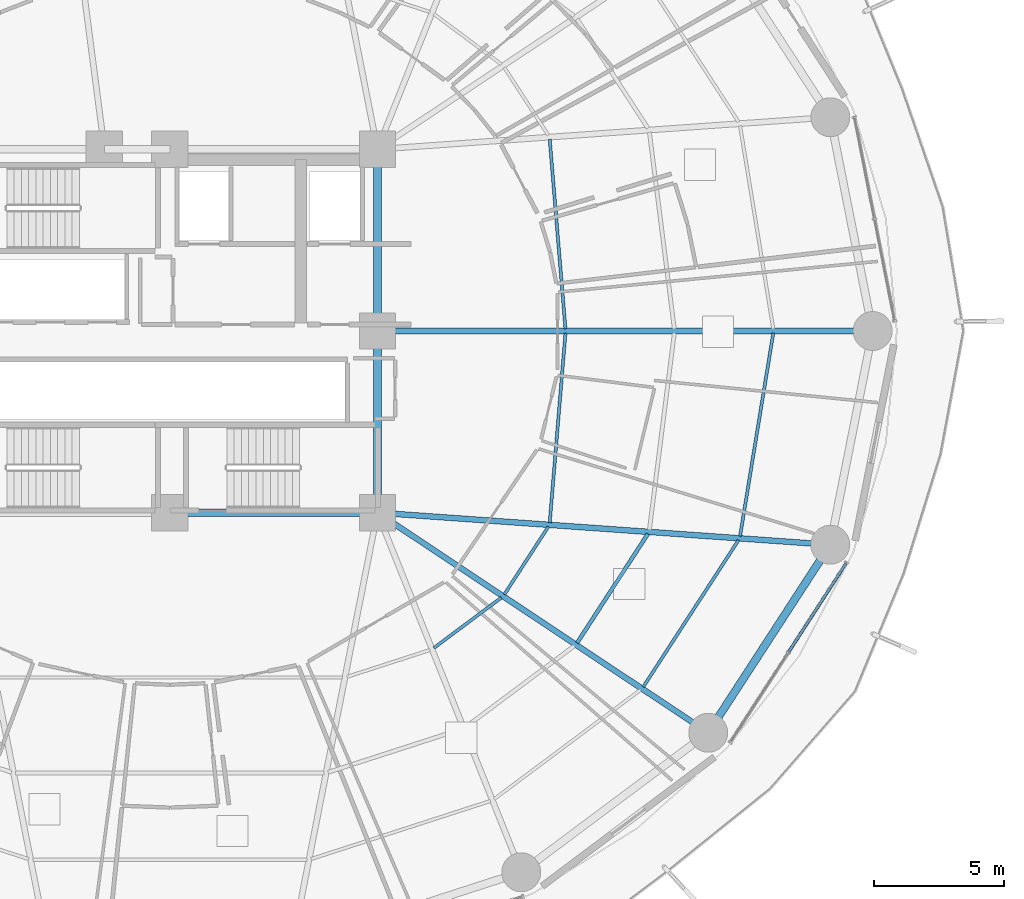
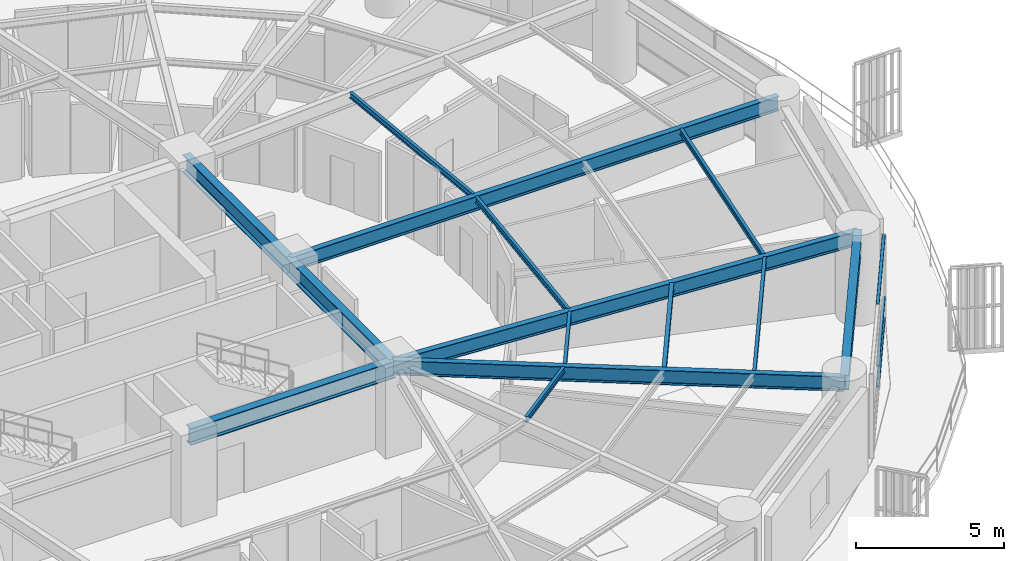
# One storey, part 11 of 32: 14 beams, 3 members, 1 element without a shape of its own.
"""IFC4 building model written with IfcOpenShell, lengths in metres."""

from ifc_helpers import new_model, si_unit, direction, frame, origin, origin_2d, place, context, subcontext, project, spatial, hollow_rectangle, i_section, extrude, material, layer, layer_set, material_profile, profile_set, type_object, element, aggregate, save


model = new_model("IFC4")

# Units and contexts
model_context = context("Model", 3, precision=1e-05, world=origin(), true_north=direction((0.0, 1.0)))
body_context = subcontext(model_context, "Body", "Model", "MODEL_VIEW")
ifc_project = project(units=[si_unit("LENGTHUNIT", "METRE"), si_unit("AREAUNIT", "SQUARE_METRE"), si_unit("VOLUMEUNIT", "CUBIC_METRE"), si_unit("PLANEANGLEUNIT", "RADIAN"), si_unit("MASSUNIT", "GRAM", prefix="KILO")], contexts=[model_context])

# Site, building, storey
site_placement = place(None, origin())
site = spatial("IfcSite", under=ifc_project, at=site_placement, CompositionType="ELEMENT")
building_placement = place(site_placement, origin())
building = spatial("IfcBuilding", under=site, at=building_placement, Name="Kelanora Arch Commons", CompositionType="ELEMENT")
storey_placement = place(building_placement, frame((0.0, 0.0, 48.75)))
storey = spatial("IfcBuildingStorey", under=building, at=storey_placement, Name="L12", CompositionType="ELEMENT", Elevation=48.75)

# Beams
ifc_material_1 = material(Name="Steel S355", Category="steel")
ifc_material_profile_1 = material_profile(ifc_material_1, i_section(OverallWidth=0.300048828125, OverallDepth=0.699951171875, WebThickness=0.01708984375, FlangeThickness=0.031982421875, FilletRadius=0.027099609375, at=origin_2d()), Name="HEB700")
ifc_profile_set_1 = profile_set([ifc_material_profile_1], Name="Steel S355")
beam_type_1 = type_object("IfcBeamType", Name="BM-CORE-HDR", PredefinedType="BEAM", material=ifc_profile_set_1)
beam_1_placement = place(storey_placement, frame((74.0, 51.0, 3.139892578125), z_axis=(1.0, 0.0, 0.0), x_axis=(0.0, 1.0, 0.0)))
element("IfcBeam", 1, at=beam_1_placement, inside=storey, type_object=beam_type_1, Name="Core Header Beam 02 L12", PredefinedType="BEAM", context=body_context, shape_type="SweptSolid", body=[
    extrude(i_section(OverallWidth=0.300048828125, OverallDepth=0.699951171875, WebThickness=0.01708984375, FlangeThickness=0.031982421875, FilletRadius=0.027099609375, at=origin_2d()), origin(), (0.0, 0.0, 1.0), 8.0),
])
for number, where, z_axis, x_axis, name in (
    (2, (82.0, 51.0, 3.139892578125), (0.0, 1.0, 0.0), (-1.0, 0.0, 0.0), "Core Header Beam 03 L12"),
    (3, (82.0, 58.0, 3.139892578125), (0.0, 1.0, 0.0), (-1.0, 0.0, 0.0), "Core Header Beam 04 L12"),
):
    element("IfcBeam", number, at=place(storey_placement, frame(where, z_axis=z_axis, x_axis=x_axis)), inside=storey, type_object=beam_type_1, Name=name, PredefinedType="BEAM", context=body_context, shape_type="SweptSolid", body=[
        extrude(i_section(OverallWidth=0.300048828125, OverallDepth=0.699951171875, WebThickness=0.01708984375, FlangeThickness=0.031982421875, FilletRadius=0.027099609375, at=origin_2d()), origin(), (0.0, 0.0, 1.0), 7.0),
    ])
ifc_material_profile_2 = material_profile(ifc_material_1, i_section(OverallWidth=0.14990234375, OverallDepth=0.300048828125, WebThickness=0.007080078125, FlangeThickness=0.0107421875, FilletRadius=0.014892578125, at=origin_2d()), Name="IPE300")
ifc_profile_set_2 = profile_set([ifc_material_profile_2], Name="Steel S355")
beam_type_2 = type_object("IfcBeamType", Name="BM-JST-01", PredefinedType="JOIST", material=ifc_profile_set_2)
beam_2_placement = place(storey_placement, frame((89.693115234375, 45.984375, 3.340087890625), z_axis=(0.544551588245, 0.838727350061, 0.0), x_axis=(-0.838727350061, 0.544551588245, 0.0)))
element("IfcBeam", 4, at=beam_2_placement, inside=storey, type_object=beam_type_2, Name="Secondary Chord Joist BJB-32 L12", PredefinedType="JOIST", context=body_context, shape_type="SweptSolid", body=[
    extrude(i_section(OverallWidth=0.14990234375, OverallDepth=0.300048828125, WebThickness=0.007080078125, FlangeThickness=0.0107421875, FilletRadius=0.014892578125, at=origin_2d()), origin(), (0.0, 0.0, 1.0), 5.010986328125),
])
ifc_material_profile_3 = material_profile(ifc_material_1, i_section(OverallWidth=0.1201171875, OverallDepth=0.239990234375, WebThickness=0.006103515625, FlangeThickness=0.009765625, FilletRadius=0.014892578125, at=origin_2d()), Name="IPE240")
ifc_profile_set_3 = profile_set([ifc_material_profile_3], Name="Steel S355")
beam_type_3 = type_object("IfcBeamType", Name="BM-JST-02", PredefinedType="JOIST", material=ifc_profile_set_3)
beam_3_placement = place(storey_placement, frame((89.243408203125, 58.084716796875, 3.3701171875), z_axis=(-0.082786209886, 0.996567330115, 0.0), x_axis=(-0.996567330115, -0.082786209886, 0.0)))
element("IfcBeam", 5, at=beam_3_placement, inside=storey, type_object=beam_type_3, Name="Secondary Chord Joist BJA-00 L12", PredefinedType="JOIST", context=body_context, shape_type="SweptSolid", body=[
    extrude(i_section(OverallWidth=0.1201171875, OverallDepth=0.239990234375, WebThickness=0.006103515625, FlangeThickness=0.009765625, FilletRadius=0.014892578125, at=origin_2d()), origin(), (0.0, 0.0, 1.0), 7.325439453125),
])
beam_4_placement = place(storey_placement, frame((84.17333984375, 45.786376953125, 3.3701171875), z_axis=(0.801513822608, 0.59797624716, 0.0), x_axis=(-0.59797624716, 0.801513822608, 0.0)))
element("IfcBeam", 6, at=beam_4_placement, inside=storey, type_object=beam_type_3, Name="Secondary Chord Joist BJA-30 L12", PredefinedType="JOIST", context=body_context, shape_type="SweptSolid", body=[
    extrude(i_section(OverallWidth=0.1201171875, OverallDepth=0.239990234375, WebThickness=0.006103515625, FlangeThickness=0.009765625, FilletRadius=0.014892578125, at=origin_2d()), origin(), (0.0, 0.0, 1.0), 3.245849609375),
])
beam_5_placement = place(storey_placement, frame((86.88916015625, 47.849609375, 3.3701171875), z_axis=(0.544591105858, 0.838701691557, 0.0), x_axis=(-0.838701691557, 0.544591105858, 0.0)))
element("IfcBeam", 7, at=beam_5_placement, inside=storey, type_object=beam_type_3, Name="Secondary Chord Joist BJA-32 L12", PredefinedType="JOIST", context=body_context, shape_type="SweptSolid", body=[
    extrude(i_section(OverallWidth=0.1201171875, OverallDepth=0.239990234375, WebThickness=0.006103515625, FlangeThickness=0.009765625, FilletRadius=0.014892578125, at=origin_2d()), origin(), (0.0, 0.0, 1.0), 3.111328125),
])
beam_6_placement = place(storey_placement, frame((92.241943359375, 44.288818359375, 3.3701171875), z_axis=(0.544550165372, 0.838728273873, 0.0), x_axis=(-0.838728273873, 0.544550165372, 0.0)))
element("IfcBeam", 8, at=beam_6_placement, inside=storey, type_object=beam_type_3, Name="Secondary Chord Joist BJC-32 L12", PredefinedType="JOIST", context=body_context, shape_type="SweptSolid", body=[
    extrude(i_section(OverallWidth=0.1201171875, OverallDepth=0.239990234375, WebThickness=0.006103515625, FlangeThickness=0.009765625, FilletRadius=0.014892578125, at=origin_2d()), origin(), (0.0, 0.0, 1.0), 6.738037109375),
])
beam_7_placement = place(storey_placement, frame((88.636962890625, 50.614990234375, 3.3701171875), z_axis=(0.082786209886, 0.996567330115, 0.0), x_axis=(-0.996567330115, 0.082786209886, 0.0)))
element("IfcBeam", 9, at=beam_7_placement, inside=storey, type_object=beam_type_3, Name="Secondary Chord Joist BJA-34 L12", PredefinedType="JOIST", context=body_context, shape_type="SweptSolid", body=[
    extrude(i_section(OverallWidth=0.1201171875, OverallDepth=0.239990234375, WebThickness=0.006103515625, FlangeThickness=0.009765625, FilletRadius=0.014892578125, at=origin_2d()), origin(), (0.0, 0.0, 1.0), 7.325439453125),
])
beam_8_placement = place(storey_placement, frame((95.97119140625, 50.09521484375, 3.3701171875), z_axis=(0.161400737199, 0.986888951216, 0.0), x_axis=(-0.986888951216, 0.161400737199, 0.0)))
element("IfcBeam", 10, at=beam_8_placement, inside=storey, type_object=beam_type_3, Name="Secondary Chord Joist BJC-34 L12", PredefinedType="JOIST", context=body_context, shape_type="SweptSolid", body=[
    extrude(i_section(OverallWidth=0.1201171875, OverallDepth=0.239990234375, WebThickness=0.006103515625, FlangeThickness=0.009765625, FilletRadius=0.014892578125, at=origin_2d()), origin(), (0.0, 0.0, 1.0), 7.9248046875),
])
ifc_material_profile_4 = material_profile(ifc_material_1, i_section(OverallWidth=0.219970703125, OverallDepth=0.60009765625, WebThickness=0.011962890625, FlangeThickness=0.01904296875, FilletRadius=0.02392578125, at=origin_2d()), Name="IPE600")
ifc_profile_set_4 = profile_set([ifc_material_profile_4], Name="Steel S355")
beam_type_4 = type_object("IfcBeamType", Name="BM-RAD-Z1", PredefinedType="BEAM", material=ifc_profile_set_4)
beam_9_placement = place(storey_placement, frame((82.0, 58.0, 3.18994140625), z_axis=(1.0, 0.0, 0.0), x_axis=(0.0, 1.0, 0.0)))
element("IfcBeam", 11, at=beam_9_placement, inside=storey, type_object=beam_type_4, Name="Radial Floor Girder BR-00 L12", PredefinedType="BEAM", context=body_context, shape_type="SweptSolid", body=[
    extrude(i_section(OverallWidth=0.219970703125, OverallDepth=0.60009765625, WebThickness=0.011962890625, FlangeThickness=0.01904296875, FilletRadius=0.02392578125, at=origin_2d()), origin(), (0.0, 0.0, 1.0), 19.080078125),
])
beam_10_placement = place(storey_placement, frame((82.0, 51.0, 3.18994140625), z_axis=(0.832592187754, -0.553886494591, 0.0), x_axis=(0.553886494591, 0.832592187754, 0.0)))
element("IfcBeam", 12, at=beam_10_placement, inside=storey, type_object=beam_type_4, Name="Radial Floor Girder BR-32 L12", PredefinedType="BEAM", context=body_context, shape_type="SweptSolid", body=[
    extrude(i_section(OverallWidth=0.219970703125, OverallDepth=0.60009765625, WebThickness=0.011962890625, FlangeThickness=0.01904296875, FilletRadius=0.02392578125, at=origin_2d()), origin(), (0.0, 0.0, 1.0), 15.306884765625),
])
beam_11_placement = place(storey_placement, frame((82.0, 51.0, 3.18994140625), z_axis=(0.997500683472, -0.070656821848, 0.0), x_axis=(0.070656821848, 0.997500683472, 0.0)))
element("IfcBeam", 13, at=beam_11_placement, inside=storey, type_object=beam_type_4, Name="Radial Floor Girder BR-34 L12", PredefinedType="BEAM", context=body_context, shape_type="SweptSolid", body=[
    extrude(i_section(OverallWidth=0.219970703125, OverallDepth=0.60009765625, WebThickness=0.011962890625, FlangeThickness=0.01904296875, FilletRadius=0.02392578125, at=origin_2d()), origin(), (0.0, 0.0, 1.0), 17.49072265625),
])
ifc_material_profile_5 = material_profile(ifc_material_1, i_section(OverallWidth=0.300048828125, OverallDepth=0.60009765625, WebThickness=0.015380859375, FlangeThickness=0.030029296875, FilletRadius=0.027099609375, at=origin_2d()), Name="HEB600")
ifc_profile_set_5 = profile_set([ifc_material_profile_5], Name="Steel S355")
beam_type_5 = type_object("IfcBeamType", Name="BM-SPN-Z1", PredefinedType="SPANDREL", material=ifc_profile_set_5)
beam_12_placement = place(storey_placement, frame((94.744384765625, 42.521728515625, 3.18994140625), z_axis=(0.544585813928, 0.838705127722, 0.0), x_axis=(-0.838705127722, 0.544585813928, 0.0)))
element("IfcBeam", 14, at=beam_12_placement, inside=storey, type_object=beam_type_5, Name="Perimeter Spandrel Beam BS-32 L12", PredefinedType="SPANDREL", context=body_context, shape_type="SweptSolid", body=[
    extrude(i_section(OverallWidth=0.300048828125, OverallDepth=0.60009765625, WebThickness=0.015380859375, FlangeThickness=0.030029296875, FilletRadius=0.027099609375, at=origin_2d()), origin(), (0.0, 0.0, 1.0), 8.63525390625),
])

# Curtain wall, members
ifc_material_2 = material(Name="Terracotta ceramic-fritted low-E glass and aluminium", Category="masonry")
ifc_layer = layer(ifc_material_2, 0.159912109375)
ifc_layer_set = layer_set([ifc_layer], Name="Terracotta ceramic-fritted low-E glass and aluminium")
curtain_wall_type = type_object("IfcCurtainWallType", Name="CW-SYS-01", PredefinedType="NOTDEFINED", material=ifc_layer_set)
curtain_wall_placement = place(storey_placement, origin())
curtain_wall = element("IfcCurtainWall", 15, at=curtain_wall_placement, inside=storey, type_object=curtain_wall_type, Name="Unitised Curtain Wall L12-B16", PredefinedType="NOTDEFINED")
ifc_material_3 = material(Name="Powder-coated aluminium terracotta", Category="masonry")
ifc_material_profile_6 = material_profile(ifc_material_3, hollow_rectangle(XDim=0.1201171875, YDim=0.06005859375, WallThickness=0.0048828125, InnerFilletRadius=0.0048828125, OuterFilletRadius=0.010009765625, at=origin_2d()), Name="CWT120x60")
ifc_profile_set_6 = profile_set([ifc_material_profile_6], Name="Powder-coated aluminium terracotta")
member_type = type_object("IfcMemberType", Name="CWT-STD", PredefinedType="USERDEFINED", material=ifc_profile_set_6)
member_1_placement = place(storey_placement, frame((97.84716796875, 45.638671875, 0.030029296875), z_axis=(0.542997414293, 0.839734367566, 0.0), x_axis=(-0.839734367566, 0.542997414293, 0.0)))
member_1 = element("IfcMember", 16, at=member_1_placement, type_object=member_type, Name="CW-01 transom 2.1", ObjectType="TRANSOM", PredefinedType="USERDEFINED", context=body_context, shape_type="SweptSolid", body=[
    extrude(hollow_rectangle(XDim=0.1201171875, YDim=0.06005859375, WallThickness=0.0048828125, InnerFilletRadius=0.0048828125, OuterFilletRadius=0.010009765625, at=origin_2d()), origin(), (0.0, 0.0, 1.0), 4.067626953125),
])
member_2_placement = place(storey_placement, frame((97.84716796875, 45.638671875, 0.89990234375), z_axis=(0.542997414293, 0.839734367566, 0.0), x_axis=(-0.839734367566, 0.542997414293, 0.0)))
member_2 = element("IfcMember", 17, at=member_2_placement, type_object=member_type, Name="CW-01 transom 2.2", ObjectType="TRANSOM", PredefinedType="USERDEFINED", context=body_context, shape_type="SweptSolid", body=[
    extrude(hollow_rectangle(XDim=0.1201171875, YDim=0.06005859375, WallThickness=0.0048828125, InnerFilletRadius=0.0048828125, OuterFilletRadius=0.010009765625, at=origin_2d()), origin(), (0.0, 0.0, 1.0), 4.067626953125),
])
member_3_placement = place(storey_placement, frame((97.84716796875, 45.638671875, 3.445068359375), z_axis=(0.542997414293, 0.839734367566, 0.0), x_axis=(-0.839734367566, 0.542997414293, 0.0)))
member_3 = element("IfcMember", 18, at=member_3_placement, type_object=member_type, Name="CW-01 transom 2.3", ObjectType="TRANSOM", PredefinedType="USERDEFINED", context=body_context, shape_type="SweptSolid", body=[
    extrude(hollow_rectangle(XDim=0.1201171875, YDim=0.06005859375, WallThickness=0.0048828125, InnerFilletRadius=0.0048828125, OuterFilletRadius=0.010009765625, at=origin_2d()), origin(), (0.0, 0.0, 1.0), 4.067626953125),
])
aggregate(curtain_wall, [member_1, member_2, member_3])

save(model, "model.ifc")
